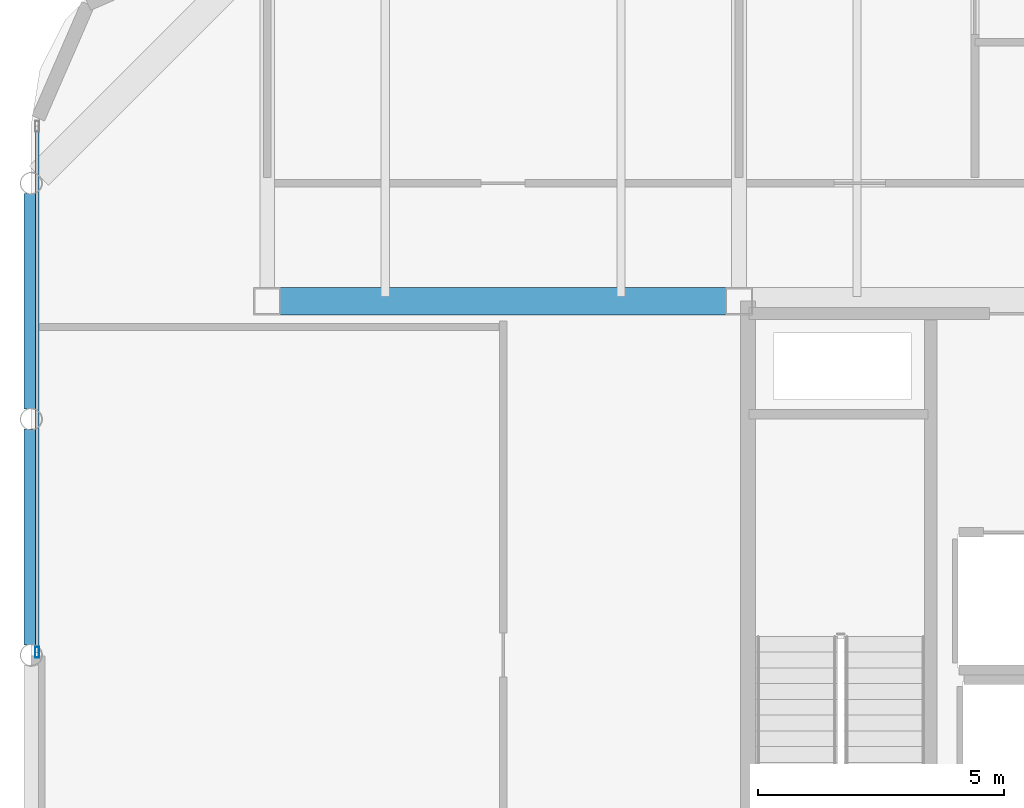
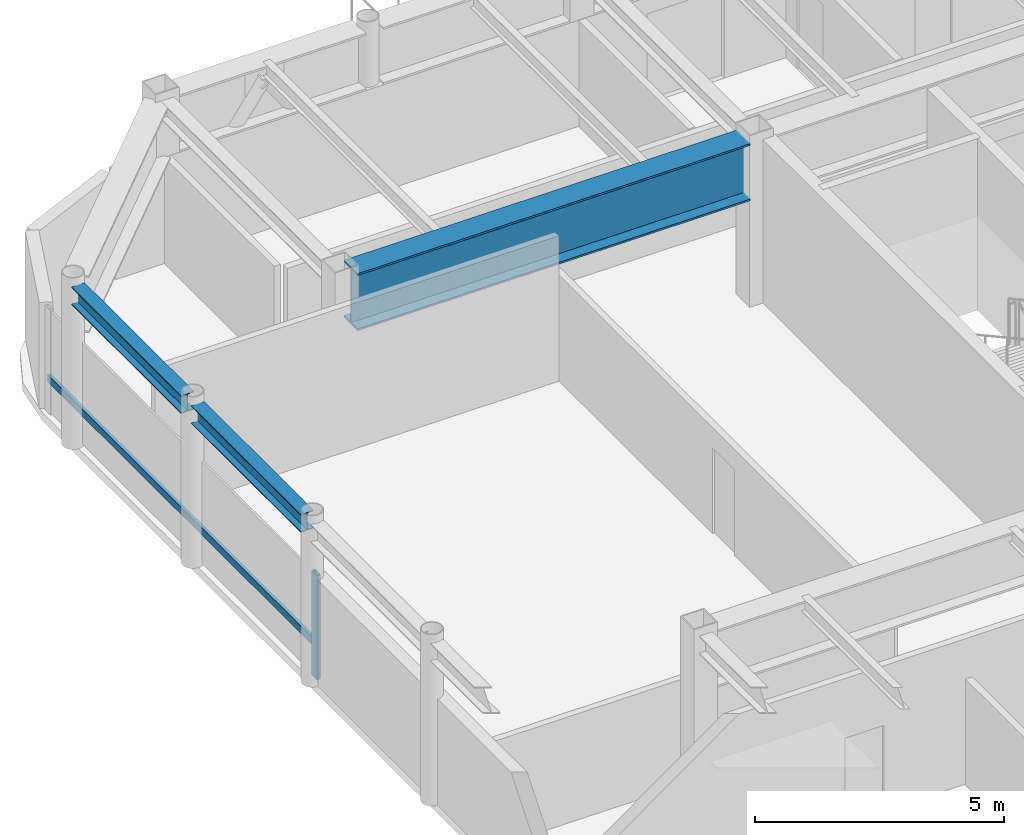
# One storey, part 7 of 23: 3 beams, 2 members, 1 element without a shape of its own.
"""IFC4 building model written with IfcOpenShell, lengths in metres."""

from ifc_helpers import new_model, si_unit, direction, frame, origin, origin_2d, place, context, subcontext, project, spatial, hollow_rectangle, i_section, extrude, material, layer, layer_set, material_profile, profile_set, type_object, element, aggregate, save


model = new_model("IFC4")

# Units and contexts
model_context = context("Model", 3, precision=1e-05, world=origin(), true_north=direction((0.0, 1.0)))
body_context = subcontext(model_context, "Body", "Model", "MODEL_VIEW")
ifc_project = project(units=[si_unit("LENGTHUNIT", "METRE"), si_unit("AREAUNIT", "SQUARE_METRE"), si_unit("VOLUMEUNIT", "CUBIC_METRE"), si_unit("PLANEANGLEUNIT", "RADIAN"), si_unit("MASSUNIT", "GRAM", prefix="KILO")], contexts=[model_context])

# Site, building, storey
site_placement = place(None, origin())
site = spatial("IfcSite", under=ifc_project, at=site_placement, CompositionType="ELEMENT")
building_placement = place(site_placement, origin())
building = spatial("IfcBuilding", under=site, at=building_placement, Name="Kallvorn Hotel Tower", CompositionType="ELEMENT")
storey_placement = place(building_placement, frame((0.0, 0.0, 282.199951171875)))
storey = spatial("IfcBuildingStorey", under=building, at=storey_placement, Name="L70", CompositionType="ELEMENT", Elevation=282.199951171875)

# Beams
ifc_material_1 = material(Name="Structural steel S355JR", Category="steel")
ifc_material_profile_1 = material_profile(ifc_material_1, i_section(OverallWidth=0.300048828125, OverallDepth=0.43994140625, WebThickness=0.011474609375, FlangeThickness=0.02099609375, at=origin_2d()), Name="HE 450 A")
ifc_profile_set_1 = profile_set([ifc_material_profile_1], Name="Structural steel S355JR")
beam_type_1 = type_object("IfcBeamType", Name="BM_HE450A", PredefinedType="BEAM", material=ifc_profile_set_1)
beam_1_placement = place(storey_placement, frame((-28.800048828125, 0.20361328125, 3.780029296875), z_axis=(0.0, 1.0, 0.0), x_axis=(-1.0, 0.0, 0.0)))
element("IfcBeam", 1, at=beam_1_placement, inside=storey, type_object=beam_type_1, Name="L71 Primary Y-Girder 29", PredefinedType="BEAM", context=body_context, shape_type="SweptSolid", body=[
    extrude(i_section(OverallWidth=0.300048828125, OverallDepth=0.43994140625, WebThickness=0.011474609375, FlangeThickness=0.02099609375, at=origin_2d()), origin(), (0.0, 0.0, 1.0), 4.392822265625),
])
beam_2_placement = place(storey_placement, frame((-28.800048828125, 5.00341796875, 3.780029296875), z_axis=(0.0, 1.0, 0.0), x_axis=(-1.0, 0.0, 0.0)))
element("IfcBeam", 2, at=beam_2_placement, inside=storey, type_object=beam_type_1, Name="L71 Primary Y-Girder 30", PredefinedType="BEAM", context=body_context, shape_type="SweptSolid", body=[
    extrude(i_section(OverallWidth=0.300048828125, OverallDepth=0.43994140625, WebThickness=0.011474609375, FlangeThickness=0.02099609375, at=origin_2d()), origin(), (0.0, 0.0, 1.0), 4.39306640625),
])
ifc_material_2 = material(Name="Structural steel S355JR", Category="steel")
ifc_material_profile_2 = material_profile(ifc_material_2, i_section(OverallWidth=0.550048828125, OverallDepth=1.39990234375, WebThickness=0.02490234375, FlangeThickness=0.044921875, at=origin_2d()), Name="PG 1400x550x25x45")
ifc_profile_set_2 = profile_set([ifc_material_profile_2], Name="Structural steel S355JR")
beam_type_2 = type_object("IfcBeamType", Name="BM_PG_1400", PredefinedType="BEAM", material=ifc_profile_set_2)
beam_3_placement = place(storey_placement, frame((-23.75, 7.199951171875, 3.300048828125), z_axis=(1.0, 0.0, 0.0), x_axis=(0.0, 1.0, 0.0)))
element("IfcBeam", 3, at=beam_3_placement, inside=storey, type_object=beam_type_2, Name="L71 Primary X-Girder 11", PredefinedType="BEAM", context=body_context, shape_type="SweptSolid", body=[
    extrude(i_section(OverallWidth=0.550048828125, OverallDepth=1.39990234375, WebThickness=0.02490234375, FlangeThickness=0.044921875, at=origin_2d()), origin(), (0.0, 0.0, 1.0), 9.10009765625),
])

# Curtain wall, members
ifc_material_3 = material(Name="Thermally broken black-anodised aluminium AA 6063-T6", Category="aluminium")
ifc_layer = layer(ifc_material_3, 0.25)
ifc_layer_set = layer_set([ifc_layer], Name="CW_SYS_6_SUMMIT_OBS")
curtain_wall_type = type_object("IfcCurtainWallType", Name="CW_SYS_6_SUMMIT_OBS", PredefinedType="USERDEFINED", material=ifc_layer_set)
curtain_wall_placement = place(storey_placement, origin())
curtain_wall = element("IfcCurtainWall", 4, at=curtain_wall_placement, inside=storey, type_object=curtain_wall_type, Name="L70 Dark-Glass Curtain Wall CW-L70-WN", ObjectType="UNITISED CURTAIN WALL", PredefinedType="USERDEFINED")
ifc_material_4 = material(Name="Thermally broken black-anodised aluminium AA 6063-T6", Category="aluminium")
ifc_material_profile_3 = material_profile(ifc_material_4, hollow_rectangle(XDim=0.080078125, YDim=0.219970703125, WallThickness=0.0048828125, at=origin_2d()), Name="MUL 220x80")
ifc_profile_set_3 = profile_set([ifc_material_profile_3], Name="Thermally broken black-anodised aluminium AA 6063-T6")
member_type_1 = type_object("IfcMemberType", Name="CW_MULLION_220x80", PredefinedType="MULLION", material=ifc_profile_set_3)
member_1_placement = place(storey_placement, frame((-28.679931640625, 0.06005859375, 0.02001953125), z_axis=(0.0, 0.0, 1.0), x_axis=(1.0, 0.0, 0.0)))
member_1 = element("IfcMember", 5, at=member_1_placement, type_object=member_type_1, Name="CW-L70-WN Mullion 00", PredefinedType="MULLION", context=body_context, shape_type="SweptSolid", body=[
    extrude(hollow_rectangle(XDim=0.080078125, YDim=0.219970703125, WallThickness=0.0048828125, at=origin_2d()), origin(), (0.0, 0.0, 1.0), 2.56005859375),
])
ifc_material_5 = material(Name="Thermally broken black-anodised aluminium AA 6063-T6", Category="aluminium")
ifc_material_profile_4 = material_profile(ifc_material_5, hollow_rectangle(XDim=0.070068359375, YDim=0.179931640625, WallThickness=0.00390625, at=origin_2d()), Name="TRN 180x70")
ifc_profile_set_4 = profile_set([ifc_material_profile_4], Name="Thermally broken black-anodised aluminium AA 6063-T6")
member_type_2 = type_object("IfcMemberType", Name="CW_TRANSOM_180x70", PredefinedType="USERDEFINED", material=ifc_profile_set_4)
member_2_placement = place(storey_placement, frame((-28.679931640625, 0.06005859375, 0.85009765625), z_axis=(0.0, 1.0, 0.0), x_axis=(-1.0, 0.0, 0.0)))
member_2 = element("IfcMember", 6, at=member_2_placement, type_object=member_type_2, Name="CW-L70-WN Transom 00M", ObjectType="TRANSOM", PredefinedType="USERDEFINED", context=body_context, shape_type="SweptSolid", body=[
    extrude(hollow_rectangle(XDim=0.070068359375, YDim=0.179931640625, WallThickness=0.00390625, at=origin_2d()), origin(), (0.0, 0.0, 1.0), 10.699951171875),
])
aggregate(curtain_wall, [member_1, member_2])

save(model, "model.ifc")
